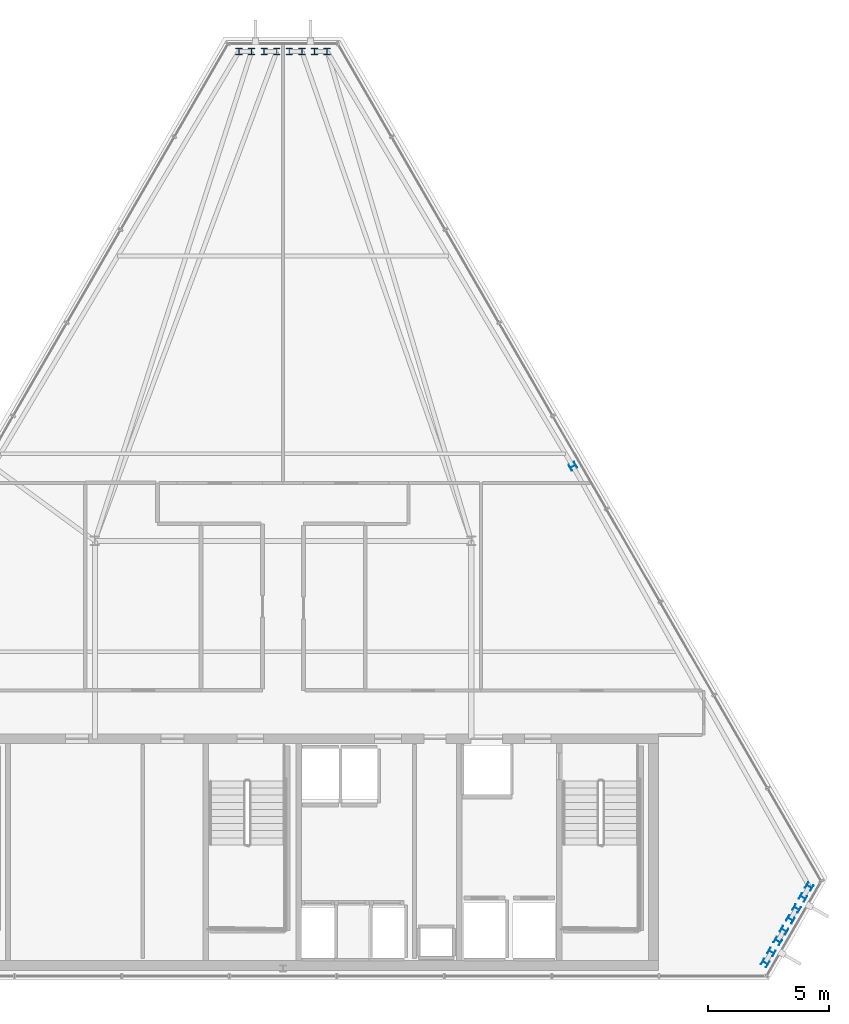
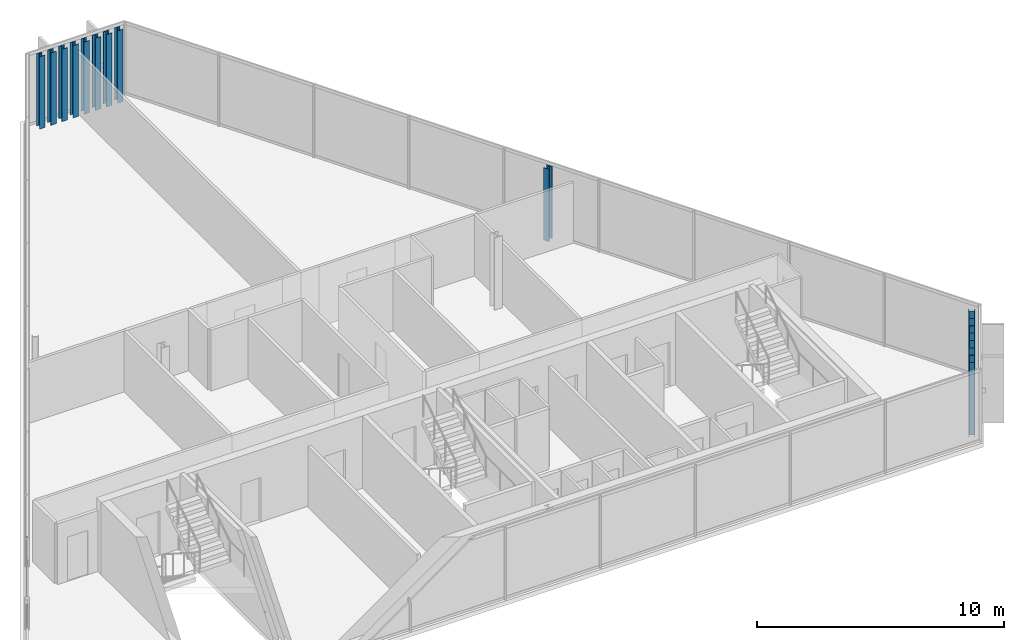
# One storey, part 2 of 32: 17 columns.
"""IFC4 building model written with IfcOpenShell, lengths in metres."""

from ifc_helpers import new_model, si_unit, direction, frame, origin, origin_2d, place, context, subcontext, project, spatial, i_section, extrude, material, material_profile, profile_set, type_object, element, save


model = new_model("IFC4")

# Units and contexts
model_context = context("Model", 3, precision=1e-05, world=origin(), true_north=direction((0.0, 1.0)))
body_context = subcontext(model_context, "Body", "Model", "MODEL_VIEW")
ifc_project = project(units=[si_unit("LENGTHUNIT", "METRE"), si_unit("AREAUNIT", "SQUARE_METRE"), si_unit("VOLUMEUNIT", "CUBIC_METRE"), si_unit("PLANEANGLEUNIT", "RADIAN"), si_unit("MASSUNIT", "GRAM", prefix="KILO")], contexts=[model_context])

# Site, building, storey
site_placement = place(None, origin())
site = spatial("IfcSite", under=ifc_project, at=site_placement, CompositionType="ELEMENT")
building_placement = place(site_placement, origin())
building = spatial("IfcBuilding", under=site, at=building_placement, Name="Ndaravel Arena Tower", CompositionType="ELEMENT")
storey_placement = place(building_placement, frame((0.0, 0.0, 283.300048828125)))
storey = spatial("IfcBuildingStorey", under=building, at=storey_placement, Name="L69", CompositionType="ELEMENT", Elevation=283.300048828125)

# Columns
ifc_material = material(Name="Steel S355", Category="steel")
ifc_material_profile = material_profile(ifc_material, i_section(OverallWidth=0.2587890625, OverallDepth=0.2666015625, WebThickness=0.0126953125, FlangeThickness=0.0205078125, FilletRadius=0.0126953125, at=origin_2d()), Name="UC 254x254x107")
ifc_profile_set = profile_set([ifc_material_profile], Name="Steel S355")
column_type = type_object("IfcColumnType", Name="COL-CRN-UC107", PredefinedType="COLUMN", material=ifc_profile_set)
for number, where, z_axis, x_axis, name in (
    (1, (61.98095703125, 5.7060546875, 0.0), (0.0, 0.0, 1.0), (0.5, 0.866025403784, 0.0), "L69 Framed Tube Column TC-02"),
    (2, (62.24169921875, 6.157958984375, 0.0), (0.0, 0.0, 1.0), (0.5, 0.866025403784, 0.0), "L69 Framed Tube Column TC-03"),
    (3, (62.502685546875, 6.610107421875, 0.0), (0.0, 0.0, 1.0), (0.5, 0.866025403784, 0.0), "L69 Framed Tube Column TC-04"),
    (4, (62.763671875, 7.06201171875, 0.0), (0.0, 0.0, 1.0), (0.5, 0.866025403784, 0.0), "L69 Framed Tube Column TC-05"),
    (5, (63.024658203125, 7.513916015625, 0.0), (0.0, 0.0, 1.0), (0.5, 0.866025403784, 0.0), "L69 Framed Tube Column TC-06"),
    (6, (63.28564453125, 7.9658203125, 0.0), (0.0, 0.0, 1.0), (0.5, 0.866025403784, 0.0), "L69 Framed Tube Column TC-07"),
    (7, (63.54638671875, 8.41796875, 0.0), (0.0, 0.0, 1.0), (0.5, 0.866025403784, 0.0), "L69 Framed Tube Column TC-08"),
    (8, (63.807373046875, 8.869873046875, 0.0), (0.0, 0.0, 1.0), (0.5, 0.866025403784, 0.0), "L69 Framed Tube Column TC-09"),
    (9, (54.0126953125, 26.286865234375, 0.0), (0.0, 0.0, 1.0), (-0.5, 0.866025403784, 0.0), "L69 Framed Tube Column TC-10"),
    (10, (43.82666015625, 43.477783203125, 0.0), (0.0, 0.0, 1.0), (1.0, 0.0, 0.0), "L69 Framed Tube Column TC-11"),
    (11, (43.3046875, 43.477783203125, 0.0), (0.0, 0.0, 1.0), (1.0, 0.0, 0.0), "L69 Framed Tube Column TC-12"),
    (12, (42.782958984375, 43.477783203125, 0.0), (0.0, 0.0, 1.0), (1.0, 0.0, 0.0), "L69 Framed Tube Column TC-13"),
    (13, (42.260986328125, 43.477783203125, 0.0), (0.0, 0.0, 1.0), (1.0, 0.0, 0.0), "L69 Framed Tube Column TC-14"),
    (14, (41.739013671875, 43.477783203125, 0.0), (0.0, 0.0, 1.0), (1.0, 0.0, 0.0), "L69 Framed Tube Column TC-15"),
    (15, (41.217041015625, 43.477783203125, 0.0), (0.0, 0.0, 1.0), (1.0, 0.0, 0.0), "L69 Framed Tube Column TC-16"),
    (16, (40.6953125, 43.477783203125, 0.0), (0.0, 0.0, 1.0), (1.0, 0.0, 0.0), "L69 Framed Tube Column TC-17"),
    (17, (40.17333984375, 43.477783203125, 0.0), (0.0, 0.0, 1.0), (1.0, 0.0, 0.0), "L69 Framed Tube Column TC-18"),
):
    element("IfcColumn", number, at=place(storey_placement, frame(where, z_axis=z_axis, x_axis=x_axis)), inside=storey, type_object=column_type, Name=name, PredefinedType="COLUMN", context=body_context, shape_type="SweptSolid", body=[
        extrude(i_section(OverallWidth=0.2587890625, OverallDepth=0.2666015625, WebThickness=0.0126953125, FlangeThickness=0.0205078125, FilletRadius=0.0126953125, at=origin_2d()), origin(), (0.0, 0.0, 1.0), 3.579833984375),
    ])

save(model, "model.ifc")
